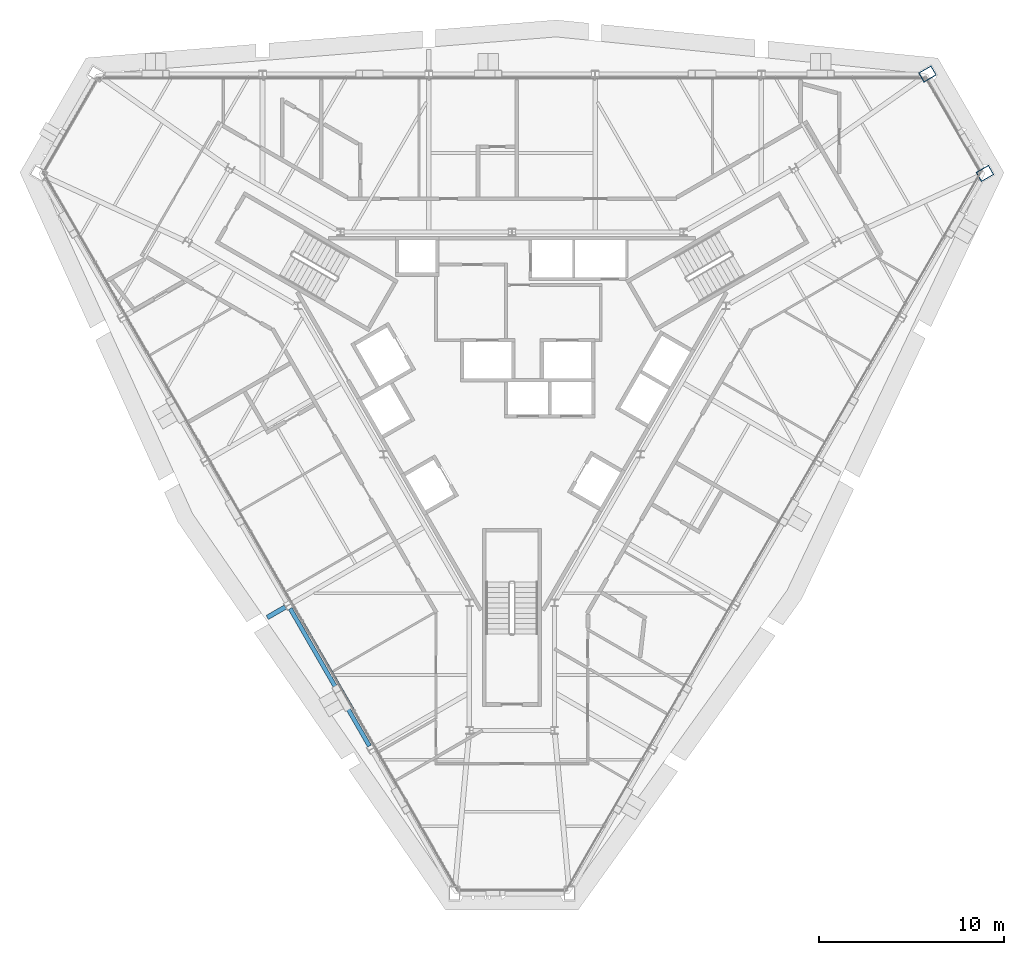
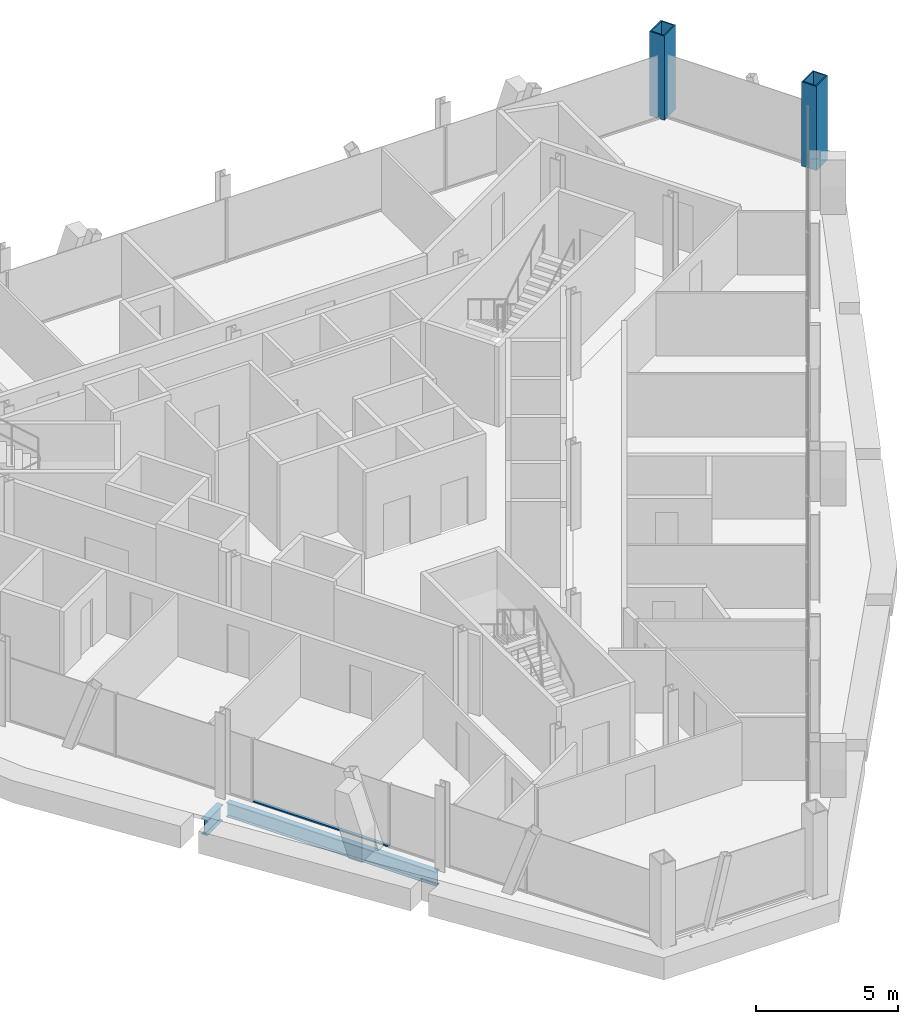
# One storey, part 2 of 16: 2 beams, 2 columns, 1 member, 1 element without a shape of its own.
"""IFC4 building model written with IfcOpenShell, lengths in metres."""

from ifc_helpers import new_model, si_unit, direction, frame, origin, origin_2d, place, context, subcontext, project, spatial, rectangle, hollow_rectangle, i_section, extrude, material, material_profile, profile_set, type_object, element, aggregate, save


model = new_model("IFC4")

# Units and contexts
model_context = context("Model", 3, precision=1e-05, world=origin(), true_north=direction((0.0, 1.0)))
body_context = subcontext(model_context, "Body", "Model", "MODEL_VIEW")
ifc_project = project(units=[si_unit("LENGTHUNIT", "METRE"), si_unit("AREAUNIT", "SQUARE_METRE"), si_unit("VOLUMEUNIT", "CUBIC_METRE"), si_unit("PLANEANGLEUNIT", "RADIAN"), si_unit("MASSUNIT", "GRAM", prefix="KILO")], contexts=[model_context])

# Site, building, storey
site_placement = place(None, origin())
site = spatial("IfcSite", under=ifc_project, at=site_placement, CompositionType="ELEMENT")
building_placement = place(site_placement, origin())
building = spatial("IfcBuilding", under=site, at=building_placement, Name="Verrane Prism Tower", CompositionType="ELEMENT")
storey_placement = place(building_placement, frame((0.0, 0.0, 239.699951171875)))
storey = spatial("IfcBuildingStorey", under=building, at=storey_placement, Name="L60", CompositionType="ELEMENT", Elevation=239.699951171875)

# Columns
ifc_material_1 = material(Name="Steel A572 Grade 50", Category="steel")
ifc_material_profile_1 = material_profile(ifc_material_1, hollow_rectangle(XDim=0.60009765625, YDim=0.800048828125, WallThickness=0.050048828125, at=origin_2d()), Name="BOX 800x600x50")
ifc_profile_set_1 = profile_set([ifc_material_profile_1], Name="Steel A572 Grade 50")
column_type = type_object("IfcColumnType", Name="Megacolumn BOX 800x600x50", PredefinedType="COLUMN", material=ifc_profile_set_1)
for number, where, z_axis, x_axis, name in (
    (1, (22.429931640625, 16.530029296875, 0.0), (0.0, 0.0, 1.0), (0.5, -0.866025403784, 0.0), "Megacolumn MC-NE.b L60"),
    (2, (25.530029296875, 11.159912109375, 0.0), (0.0, 0.0, 1.0), (0.5, -0.866025403784, 0.0), "Megacolumn MC-NE.a L60"),
):
    element("IfcColumn", number, at=place(storey_placement, frame(where, z_axis=z_axis, x_axis=x_axis)), inside=storey, type_object=column_type, Name=name, PredefinedType="COLUMN", context=body_context, shape_type="SweptSolid", body=[
        extrude(hollow_rectangle(XDim=0.60009765625, YDim=0.800048828125, WallThickness=0.050048828125, at=origin_2d()), origin(), (0.0, 0.0, 1.0), 3.635009765625),
    ])

# Beams
ifc_material_2 = material(Name="Steel A992", Category="steel")
ifc_material_profile_2 = material_profile(ifc_material_2, i_section(OverallWidth=0.25390625, OverallDepth=0.683349609375, WebThickness=0.012451171875, FlangeThickness=0.01904296875, FilletRadius=0.01513671875, at=origin_2d()), Name="W27x94")
ifc_profile_set_2 = profile_set([ifc_material_profile_2], Name="Steel A992")
beam_type_1 = type_object("IfcBeamType", Name="Radial girder W27x94", PredefinedType="BEAM", material=ifc_profile_set_2)
beam_1_placement = place(storey_placement, frame((-12.233642578125, -12.244384765625, -0.5615234375), z_axis=(-0.865961255618, -0.500111091428, 0.0), x_axis=(0.500111091428, -0.865961255618, 0.0)))
element("IfcBeam", 3, at=beam_1_placement, inside=storey, type_object=beam_type_1, Name="Cantilever girder L60", PredefinedType="BEAM", context=body_context, shape_type="SweptSolid", body=[
    extrude(i_section(OverallWidth=0.25390625, OverallDepth=0.683349609375, WebThickness=0.012451171875, FlangeThickness=0.01904296875, FilletRadius=0.01513671875, at=origin_2d()), origin(), (0.0, 0.0, 1.0), 1.123779296875),
])
ifc_material_3 = material(Name="Steel A992", Category="steel")
ifc_material_profile_3 = material_profile(ifc_material_3, i_section(OverallWidth=0.23046875, OverallDepth=0.6171875, WebThickness=0.01318359375, FlangeThickness=0.022216796875, FilletRadius=0.012939453125, at=origin_2d()), Name="W24x94")
ifc_profile_set_3 = profile_set([ifc_material_profile_3], Name="Steel A992")
beam_type_2 = type_object("IfcBeamType", Name="Spandrel beam W24x94", PredefinedType="SPANDREL", material=ifc_profile_set_3)
beam_2_placement = place(storey_placement, frame((-11.970458984375, -12.32275390625, -0.468505859375), z_axis=(0.499491441068, -0.866318821393, 0.0), x_axis=(0.866318821393, 0.499491441068, 0.0)))
element("IfcBeam", 4, at=beam_2_placement, inside=storey, type_object=beam_type_2, Name="Spandrel beam L60", PredefinedType="SPANDREL", context=body_context, shape_type="SweptSolid", body=[
    extrude(i_section(OverallWidth=0.23046875, OverallDepth=0.6171875, WebThickness=0.01318359375, FlangeThickness=0.022216796875, FilletRadius=0.012939453125, at=origin_2d()), origin(), (0.0, 0.0, 1.0), 8.5703125),
])

# Curtain wall, member
ifc_material_4 = material(Name="Aluminium framed insulated glazing", Category="aluminium")
curtain_wall_type = type_object("IfcCurtainWallType", Name="Curtain wall CW-B 5600 module", PredefinedType="NOTDEFINED", material=ifc_material_4)
curtain_wall_placement = place(storey_placement, origin())
curtain_wall = element("IfcCurtainWall", 5, at=curtain_wall_placement, inside=storey, type_object=curtain_wall_type, Name="Glazed curtain wall south-west face L60", PredefinedType="NOTDEFINED")
ifc_material_5 = material(Name="Aluminium alloy 6063-T6", Category="aluminium")
ifc_material_profile_4 = material_profile(ifc_material_5, rectangle(XDim=0.1201171875, YDim=0.06005859375, at=origin_2d()), Name="Transom 60x120 aluminium")
ifc_profile_set_4 = profile_set([ifc_material_profile_4], Name="Aluminium alloy 6063-T6")
member_type = type_object("IfcMemberType", Name="Transom 60x120 aluminium", PredefinedType="USERDEFINED", material=ifc_profile_set_4)
member_placement = place(storey_placement, frame((-11.307861328125, -13.017822265625, 0.030029296875), z_axis=(0.50002308228, -0.866012076814, 0.0), x_axis=(0.866012076814, 0.50002308228, 0.0)))
member = element("IfcMember", 6, at=member_placement, type_object=member_type, Name="CW59.4 transom 6", ObjectType="TRANSOM", PredefinedType="USERDEFINED", context=body_context, shape_type="SweptSolid", body=[
    extrude(rectangle(XDim=0.1201171875, YDim=0.06005859375, at=origin_2d()), origin(), (0.0, 0.0, 1.0), 5.530029296875),
])
aggregate(curtain_wall, [member])

save(model, "model.ifc")
